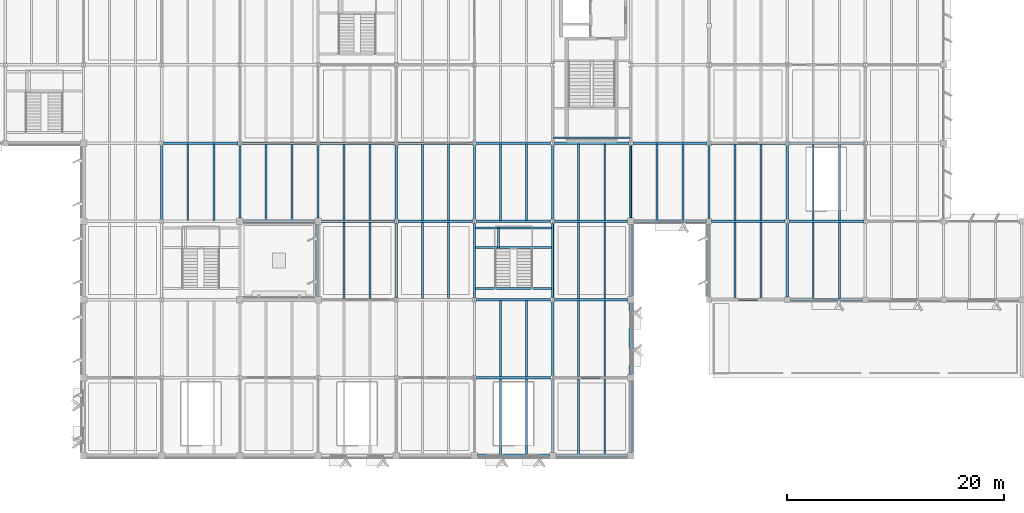
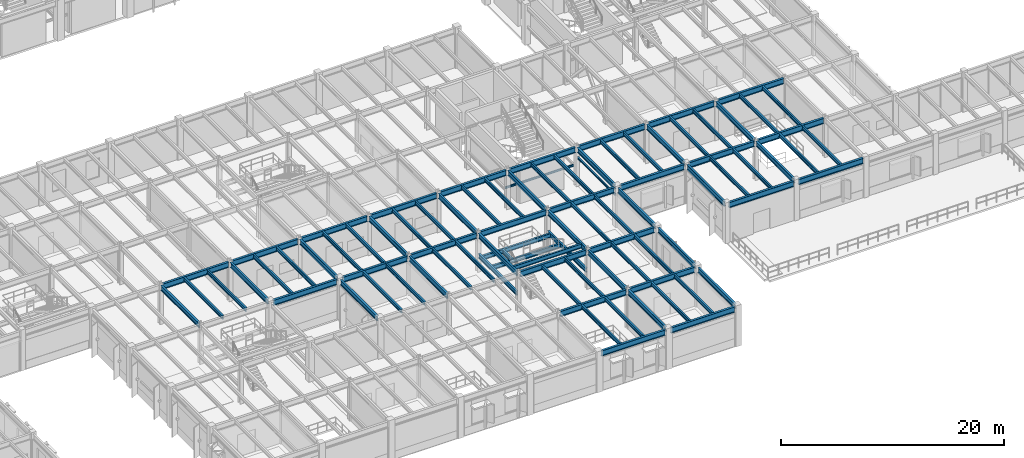
# One storey, part 18 of 92: 89 beams.
"""IFC4 building model written with IfcOpenShell, lengths in metres."""

import ifcopenshell
import ifcopenshell.guid

model = None  # the IFC model being written
_history = None  # IfcOwnerHistory: only IFC2X3 demands one
_inside = {}  # id of a spatial element -> (the spatial element, [elements in it])
_under = {}  # id of a project, library or spatial element -> (it, [spatial elements below it])
_declared = {}  # id of a project -> (the project, [libraries it declares])
_typed = {}  # id of a type object -> (the type object, [elements of that type])
_made_of = {}  # id of a material, layer set ... -> (it, [elements and type objects made of it])


def new_model(schema):
    """Start an empty IFC model of exactly this schema.

    Asked for "IFC4X3", IfcOpenShell would pick the latest addendum, in which some entities
    have other attributes; the version numbers below select the first issue.
    IFC2X3 requires an IfcOwnerHistory on every rooted entity: one is made here for all.
    """
    global model, _history
    if schema == "IFC4X3":
        model = ifcopenshell.file(schema_version=(4, 3, 0, 0))
    else:
        model = ifcopenshell.file(schema=schema)
    _inside.clear()
    _under.clear()
    _declared.clear()
    _typed.clear()
    _made_of.clear()
    _history = None
    if model.schema == "IFC2X3":
        org = make("IfcOrganization", Name="unknown")
        user = make(
            "IfcPersonAndOrganization",
            ThePerson=make("IfcPerson", FamilyName="unknown"),
            TheOrganization=org,
        )
        app = make(
            "IfcApplication",
            ApplicationDeveloper=org,
            Version="unknown",
            ApplicationFullName="unknown",
            ApplicationIdentifier="unknown",
        )
        _history = make(
            "IfcOwnerHistory",
            OwningUser=user,
            OwningApplication=app,
            ChangeAction="ADDED",
            CreationDate=0,
        )
    return model


def make(cls, **values):
    """One entity of the class cls with the attributes given. An attribute that is None is left unset."""
    return model.create_entity(
        cls, **{name: value for name, value in values.items() if value is not None}
    )


def rooted(cls, **values):
    """An entity with a GlobalId (a new one), such as an element, a storey or a relation."""
    return make(cls, GlobalId=ifcopenshell.guid.new(), OwnerHistory=_history, **values)


def si_unit(unit_type, name, prefix=None):
    """IfcSIUnit, for example si_unit("LENGTHUNIT", "METRE", prefix="MILLI")."""
    return make("IfcSIUnit", UnitType=unit_type, Prefix=prefix, Name=name)


def assignment(units):
    """IfcUnitAssignment: the units of a project."""
    return None if units is None else make("IfcUnitAssignment", Units=units)


def point(xyz):
    """IfcCartesianPoint."""
    return None if xyz is None else make("IfcCartesianPoint", Coordinates=xyz)


def direction(xyz):
    """IfcDirection."""
    return None if xyz is None else make("IfcDirection", DirectionRatios=xyz)


def frame(location, z_axis=None, x_axis=None):
    """IfcAxis2Placement3D, a coordinate frame: its origin and axes. An axis left out is left unset."""
    return make(
        "IfcAxis2Placement3D",
        Location=point(location),
        Axis=direction(z_axis),
        RefDirection=direction(x_axis),
    )


def frame_2d(location, x_axis=None):
    """IfcAxis2Placement2D, a coordinate frame in the plane: its origin and x axis."""
    return make(
        "IfcAxis2Placement2D", Location=point(location), RefDirection=direction(x_axis)
    )


def origin():
    """The frame at (0, 0, 0) with its axes left unset."""
    return frame((0.0, 0.0, 0.0))


def origin_2d():
    """The frame at (0, 0) in the plane with its x axis left unset."""
    return frame_2d((0.0, 0.0))


def place(relative_to, where):
    """IfcLocalPlacement: puts the frame where relative to a parent placement (None: the world)."""
    return make(
        "IfcLocalPlacement", PlacementRelTo=relative_to, RelativePlacement=where
    )


def context(
    kind, dimensions, precision=None, world=None, true_north=None, identifier=None
):
    """IfcGeometricRepresentationContext, for example the 3D "Model" context."""
    return make(
        "IfcGeometricRepresentationContext",
        ContextIdentifier=identifier,
        ContextType=kind,
        CoordinateSpaceDimension=dimensions,
        Precision=precision,
        WorldCoordinateSystem=world,
        TrueNorth=true_north,
    )


def subcontext(parent, identifier, kind, view, scale=None):
    """IfcGeometricRepresentationSubContext, for example "Body" below "Model"."""
    return make(
        "IfcGeometricRepresentationSubContext",
        ContextIdentifier=identifier,
        ContextType=kind,
        ParentContext=parent,
        TargetScale=scale,
        TargetView=view,
    )


def project(units=None, contexts=None):
    """IfcProject with its units and contexts."""
    return rooted(
        "IfcProject",
        Name="project",
        RepresentationContexts=contexts,
        UnitsInContext=assignment(units),
    )


def spatial(cls, under=None, at=None, **own):
    """A site, building, storey or space (cls), placed at a placement, below another one or the project."""
    s = rooted(cls, ObjectPlacement=at, **own)
    if under is not None:
        _under.setdefault(under.id(), (under, []))[1].append(s)
    return s


def profile(cls, at=None, kind="AREA", **sizes):
    """A parametric profile (cls). Its sizes go by their IFC names, for example OverallWidth=200.0."""
    return make(cls, ProfileType=kind, Position=at, **sizes)


def i_section(**sizes):
    """IfcIShapeProfileDef."""
    return profile("IfcIShapeProfileDef", **sizes)


def extrude(swept, where, along, depth):
    """IfcExtrudedAreaSolid: the profile swept, set in the frame where, extruded along a direction by depth."""
    return make(
        "IfcExtrudedAreaSolid",
        SweptArea=swept,
        Position=where,
        ExtrudedDirection=direction(along),
        Depth=depth,
    )


def shape(context_of_items, identifier, shape_type, items):
    """IfcShapeRepresentation: the items that make up one representation, for example the "Body"."""
    return make(
        "IfcShapeRepresentation",
        ContextOfItems=context_of_items,
        RepresentationIdentifier=identifier,
        RepresentationType=shape_type,
        Items=items,
    )


def material(Name=None, Category=None):
    """IfcMaterial."""
    return make("IfcMaterial", Name=Name, Category=Category)


def material_profile(
    of_material, cross_section, Name=None, Category=None, Priority=None
):
    """IfcMaterialProfile: a cross section and its material."""
    return make(
        "IfcMaterialProfile",
        Name=Name,
        Material=of_material,
        Profile=cross_section,
        Priority=Priority,
        Category=Category,
    )


def profile_set(profiles, Name=None, composite=None):
    """IfcMaterialProfileSet."""
    return make(
        "IfcMaterialProfileSet",
        Name=Name,
        MaterialProfiles=profiles,
        CompositeProfile=composite,
    )


def made_of(thing, what):
    """Note that an element or type object is made of a material, layer set ...; save() writes the relation."""
    if what is not None:
        _made_of.setdefault(what.id(), (what, []))[1].append(thing)
    return thing


def type_object(cls, material=None, **own):
    """A type object (cls), such as IfcWallType, which elements share."""
    return made_of(rooted(cls, **own), material)


def element(
    cls,
    number,
    at=None,
    inside=None,
    cuts=None,
    type_object=None,
    material=None,
    context=None,
    identifier="Body",
    shape_type=None,
    held_by="IfcProductDefinitionShape",
    body=None,
    shapes=None,
    **own,
):
    """One element of the class cls, such as IfcWall. Its Tag is "e" and its number.

    at: its placement. inside: the storey or other place that contains it. cuts: it is an
    opening in that element (IfcRelVoidsElement). A single representation is given by context,
    identifier, shape_type and body (its items); several are given by shapes. held_by: the class
    of the entity that holds the representations. save() writes the other relations.
    """
    e = rooted(cls, Tag="e%d" % number, ObjectPlacement=at, **own)
    if body is not None:
        shapes = [shape(context, identifier, shape_type, body)]
    if shapes is not None:
        e.Representation = make(held_by, Representations=shapes)
    if inside is not None:
        _inside.setdefault(inside.id(), (inside, []))[1].append(e)
    if cuts is not None:
        rooted(
            "IfcRelVoidsElement", RelatingBuildingElement=cuts, RelatedOpeningElement=e
        )
    if type_object is not None:
        _typed.setdefault(type_object.id(), (type_object, []))[1].append(e)
    return made_of(e, material)


def aggregate(whole, parts):
    """IfcRelAggregates: a whole, such as a stair, and the parts it consists of."""
    return rooted("IfcRelAggregates", RelatingObject=whole, RelatedObjects=parts)


def save(model, path):
    """Write the relations noted so far, then the file.

    IfcRelAggregates (storeys below a building ...), IfcRelContainedInSpatialStructure (elements
    in a storey), IfcRelDefinesByType, IfcRelAssociatesMaterial and IfcRelDeclares: one each for
    every whole, place, type object, material and project.
    """
    for whole, parts in _under.values():
        aggregate(whole, parts)
    for where, things in _inside.values():
        rooted(
            "IfcRelContainedInSpatialStructure",
            RelatedElements=things,
            RelatingStructure=where,
        )
    for kind, things in _typed.values():
        rooted("IfcRelDefinesByType", RelatedObjects=things, RelatingType=kind)
    for what, things in _made_of.values():
        rooted("IfcRelAssociatesMaterial", RelatedObjects=things, RelatingMaterial=what)
    for by, libraries in _declared.values():
        rooted("IfcRelDeclares", RelatingContext=by, RelatedDefinitions=libraries)
    model.write(path)


model = new_model("IFC4")

# Units and contexts
model_context = context("Model", 3, precision=1e-05, world=origin(), true_north=direction((0.0, 1.0)))
body_context = subcontext(model_context, "Body", "Model", "MODEL_VIEW")
ifc_project = project(units=[si_unit("LENGTHUNIT", "METRE"), si_unit("AREAUNIT", "SQUARE_METRE"), si_unit("VOLUMEUNIT", "CUBIC_METRE"), si_unit("PLANEANGLEUNIT", "RADIAN"), si_unit("MASSUNIT", "GRAM", prefix="KILO")], contexts=[model_context])

# Site, building, storey
site_placement = place(None, origin())
site = spatial("IfcSite", under=ifc_project, at=site_placement, CompositionType="ELEMENT")
building_placement = place(site_placement, origin())
building = spatial("IfcBuilding", under=site, at=building_placement, Name="Sillqori Civic Hall", CompositionType="ELEMENT")
storey_placement = place(building_placement, frame((0.0, 0.0, 5.39990234375)))
storey = spatial("IfcBuildingStorey", under=building, at=storey_placement, Name="L02", CompositionType="ELEMENT", Elevation=5.39990234375)

# Beams
ifc_material = material(Name="Steel ASTM A992", Category="steel")
ifc_material_profile_1 = material_profile(ifc_material, i_section(OverallWidth=0.19091796875, OverallDepth=0.4599609375, WebThickness=0.010009765625, FlangeThickness=0.01611328125, FilletRadius=0.012939453125, at=origin_2d()), Name="W18X55")
ifc_profile_set_1 = profile_set([ifc_material_profile_1], Name="Steel ASTM A992")
beam_type_1 = type_object("IfcBeamType", Name="BM-W18X55", PredefinedType="BEAM", material=ifc_profile_set_1)
for number, where, z_axis, x_axis, name in (
    (1, (100.800048828125, 21.778076171875, 1.8251953125), (0.0, 1.0, 0.0), (-1.0, 0.0, 0.0), "Wedge Atrium East Gallery Stair L02-L03 landing stringer girder W"),
    (2, (108.0, 21.778076171875, 1.8251953125), (0.0, 1.0, 0.0), (-1.0, 0.0, 0.0), "Wedge Atrium East Gallery Stair L02-L03 landing stringer girder E"),
):
    element("IfcBeam", number, at=place(storey_placement, frame(where, z_axis=z_axis, x_axis=x_axis)), inside=storey, type_object=beam_type_1, Name=name, PredefinedType="BEAM", context=body_context, shape_type="SweptSolid", body=[
        extrude(i_section(OverallWidth=0.19091796875, OverallDepth=0.4599609375, WebThickness=0.010009765625, FlangeThickness=0.01611328125, FilletRadius=0.012939453125, at=origin_2d()), origin(), (0.0, 0.0, 1.0), 6.843994140625),
    ])
for number, where, z_axis, x_axis, name in (
    (3, (100.840087890625, 26.389892578125, 1.8251953125), (1.0, 0.0, 0.0), (0.0, 1.0, 0.0), "Wedge Atrium East Gallery Stair L02-L03 half-landing cross trimmer 1"),
    (4, (100.840087890625, 28.179931640625, 1.8251953125), (1.0, 0.0, 0.0), (0.0, 1.0, 0.0), "Wedge Atrium East Gallery Stair L02-L03 half-landing cross trimmer 2"),
):
    element("IfcBeam", number, at=place(storey_placement, frame(where, z_axis=z_axis, x_axis=x_axis)), inside=storey, type_object=beam_type_1, Name=name, PredefinedType="BEAM", context=body_context, shape_type="SweptSolid", body=[
        extrude(i_section(OverallWidth=0.19091796875, OverallDepth=0.4599609375, WebThickness=0.010009765625, FlangeThickness=0.01611328125, FilletRadius=0.012939453125, at=origin_2d()), origin(), (0.0, 0.0, 1.0), 7.119873046875),
    ])
beam_1_placement = place(storey_placement, frame((103.0, 26.360107421875, 1.8251953125), z_axis=(0.0, 1.0, 0.0), x_axis=(-1.0, 0.0, 0.0)))
element("IfcBeam", 5, at=beam_1_placement, inside=storey, type_object=beam_type_1, Name="Wedge Atrium East Gallery Stair L02-L03 half-landing spine rib", PredefinedType="BEAM", context=body_context, shape_type="SweptSolid", body=[
    extrude(i_section(OverallWidth=0.19091796875, OverallDepth=0.4599609375, WebThickness=0.010009765625, FlangeThickness=0.01611328125, FilletRadius=0.012939453125, at=origin_2d()), origin(), (0.0, 0.0, 1.0), 1.849853515625),
])
beam_2_placement = place(storey_placement, frame((100.840087890625, 22.60009765625, 4.0751953125), z_axis=(1.0, 0.0, 0.0), x_axis=(0.0, 1.0, 0.0)))
element("IfcBeam", 6, at=beam_2_placement, inside=storey, type_object=beam_type_1, Name="Wedge Atrium East Gallery Stair L02-L03 upper arrival trimmer beam", PredefinedType="BEAM", context=body_context, shape_type="SweptSolid", body=[
    extrude(i_section(OverallWidth=0.19091796875, OverallDepth=0.4599609375, WebThickness=0.010009765625, FlangeThickness=0.01611328125, FilletRadius=0.012939453125, at=origin_2d()), origin(), (0.0, 0.0, 1.0), 7.119873046875),
])
ifc_material_profile_2 = material_profile(ifc_material, i_section(OverallWidth=0.2099609375, OverallDepth=0.532958984375, WebThickness=0.01025390625, FlangeThickness=0.015625, FilletRadius=0.013916015625, at=origin_2d()), Name="W21X62")
ifc_profile_set_2 = profile_set([ifc_material_profile_2], Name="Steel ASTM A992")
beam_type_2 = type_object("IfcBeamType", Name="BM-W21X62", PredefinedType="BEAM", material=ifc_profile_set_2)
beam_3_placement = place(storey_placement, frame((72.0, 28.97802734375, 4.03369140625), z_axis=(0.0, 1.0, 0.0), x_axis=(-1.0, 0.0, 0.0)))
element("IfcBeam", 7, at=beam_3_placement, inside=storey, type_object=beam_type_2, Name="L02 girder Y 10-4", PredefinedType="BEAM", context=body_context, shape_type="SweptSolid", body=[
    extrude(i_section(OverallWidth=0.2099609375, OverallDepth=0.532958984375, WebThickness=0.01025390625, FlangeThickness=0.015625, FilletRadius=0.013916015625, at=origin_2d()), origin(), (0.0, 0.0, 1.0), 6.843994140625),
])
beam_4_placement = place(storey_placement, frame((79.199951171875, 29.093994140625, 4.03369140625), z_axis=(0.0, 1.0, 0.0), x_axis=(-1.0, 0.0, 0.0)))
element("IfcBeam", 8, at=beam_4_placement, inside=storey, type_object=beam_type_2, Name="L02 girder Y 11-4", PredefinedType="BEAM", context=body_context, shape_type="SweptSolid", body=[
    extrude(i_section(OverallWidth=0.2099609375, OverallDepth=0.532958984375, WebThickness=0.01025390625, FlangeThickness=0.015625, FilletRadius=0.013916015625, at=origin_2d()), origin(), (0.0, 0.0, 1.0), 6.72802734375),
])
beam_5_placement = place(storey_placement, frame((86.39990234375, 21.89404296875, 4.03369140625), z_axis=(0.0, 1.0, 0.0), x_axis=(-1.0, 0.0, 0.0)))
element("IfcBeam", 9, at=beam_5_placement, inside=storey, type_object=beam_type_2, Name="L02 girder Y 12-3", PredefinedType="BEAM", context=body_context, shape_type="SweptSolid", body=[
    extrude(i_section(OverallWidth=0.2099609375, OverallDepth=0.532958984375, WebThickness=0.01025390625, FlangeThickness=0.015625, FilletRadius=0.013916015625, at=origin_2d()), origin(), (0.0, 0.0, 1.0), 6.612060546875),
])
beam_6_placement = place(storey_placement, frame((86.39990234375, 29.093994140625, 4.03369140625), z_axis=(0.0, 1.0, 0.0), x_axis=(-1.0, 0.0, 0.0)))
element("IfcBeam", 10, at=beam_6_placement, inside=storey, type_object=beam_type_2, Name="L02 girder Y 12-4", PredefinedType="BEAM", context=body_context, shape_type="SweptSolid", body=[
    extrude(i_section(OverallWidth=0.2099609375, OverallDepth=0.532958984375, WebThickness=0.01025390625, FlangeThickness=0.015625, FilletRadius=0.013916015625, at=origin_2d()), origin(), (0.0, 0.0, 1.0), 6.72802734375),
])
for number, where, z_axis, x_axis, name in (
    (11, (93.60009765625, 21.778076171875, 4.03369140625), (0.0, 1.0, 0.0), (-1.0, 0.0, 0.0), "L02 girder Y 13-3"),
    (12, (93.60009765625, 28.97802734375, 4.03369140625), (0.0, 1.0, 0.0), (-1.0, 0.0, 0.0), "L02 girder Y 13-4"),
    (13, (100.800048828125, 21.778076171875, 4.03369140625), (0.0, 1.0, 0.0), (-1.0, 0.0, 0.0), "L02 girder Y 14-3"),
    (14, (100.800048828125, 28.97802734375, 4.03369140625), (0.0, 1.0, 0.0), (-1.0, 0.0, 0.0), "L02 girder Y 14-4"),
):
    element("IfcBeam", number, at=place(storey_placement, frame(where, z_axis=z_axis, x_axis=x_axis)), inside=storey, type_object=beam_type_2, Name=name, PredefinedType="BEAM", context=body_context, shape_type="SweptSolid", body=[
        extrude(i_section(OverallWidth=0.2099609375, OverallDepth=0.532958984375, WebThickness=0.01025390625, FlangeThickness=0.015625, FilletRadius=0.013916015625, at=origin_2d()), origin(), (0.0, 0.0, 1.0), 6.843994140625),
    ])
beam_7_placement = place(storey_placement, frame((108.0, 7.493896484375, 4.03369140625), z_axis=(0.0, 1.0, 0.0), x_axis=(-1.0, 0.0, 0.0)))
element("IfcBeam", 15, at=beam_7_placement, inside=storey, type_object=beam_type_2, Name="L02 girder Y 15-1", PredefinedType="BEAM", context=body_context, shape_type="SweptSolid", body=[
    extrude(i_section(OverallWidth=0.2099609375, OverallDepth=0.532958984375, WebThickness=0.01025390625, FlangeThickness=0.015625, FilletRadius=0.013916015625, at=origin_2d()), origin(), (0.0, 0.0, 1.0), 6.72802734375),
])
beam_8_placement = place(storey_placement, frame((108.0, 14.577880859375, 4.03369140625), z_axis=(0.0, 1.0, 0.0), x_axis=(-1.0, 0.0, 0.0)))
element("IfcBeam", 16, at=beam_8_placement, inside=storey, type_object=beam_type_2, Name="L02 girder Y 15-2", PredefinedType="BEAM", context=body_context, shape_type="SweptSolid", body=[
    extrude(i_section(OverallWidth=0.2099609375, OverallDepth=0.532958984375, WebThickness=0.01025390625, FlangeThickness=0.015625, FilletRadius=0.013916015625, at=origin_2d()), origin(), (0.0, 0.0, 1.0), 6.84423828125),
])
for number, where, z_axis, x_axis, name in (
    (17, (108.0, 21.778076171875, 4.03369140625), (0.0, 1.0, 0.0), (-1.0, 0.0, 0.0), "L02 girder Y 15-3"),
    (18, (108.0, 28.97802734375, 4.03369140625), (0.0, 1.0, 0.0), (-1.0, 0.0, 0.0), "L02 girder Y 15-4"),
):
    element("IfcBeam", number, at=place(storey_placement, frame(where, z_axis=z_axis, x_axis=x_axis)), inside=storey, type_object=beam_type_2, Name=name, PredefinedType="BEAM", context=body_context, shape_type="SweptSolid", body=[
        extrude(i_section(OverallWidth=0.2099609375, OverallDepth=0.532958984375, WebThickness=0.01025390625, FlangeThickness=0.015625, FilletRadius=0.013916015625, at=origin_2d()), origin(), (0.0, 0.0, 1.0), 6.843994140625),
    ])
beam_9_placement = place(storey_placement, frame((115.199951171875, 7.493896484375, 4.03369140625), z_axis=(0.0, 1.0, 0.0), x_axis=(-1.0, 0.0, 0.0)))
element("IfcBeam", 19, at=beam_9_placement, inside=storey, type_object=beam_type_2, Name="L02 girder Y 16-1", PredefinedType="BEAM", context=body_context, shape_type="SweptSolid", body=[
    extrude(i_section(OverallWidth=0.2099609375, OverallDepth=0.532958984375, WebThickness=0.01025390625, FlangeThickness=0.015625, FilletRadius=0.013916015625, at=origin_2d()), origin(), (0.0, 0.0, 1.0), 6.612060546875),
])
beam_10_placement = place(storey_placement, frame((115.199951171875, 14.694091796875, 4.03369140625), z_axis=(0.0, 1.0, 0.0), x_axis=(-1.0, 0.0, 0.0)))
element("IfcBeam", 20, at=beam_10_placement, inside=storey, type_object=beam_type_2, Name="L02 girder Y 16-2", PredefinedType="BEAM", context=body_context, shape_type="SweptSolid", body=[
    extrude(i_section(OverallWidth=0.2099609375, OverallDepth=0.532958984375, WebThickness=0.01025390625, FlangeThickness=0.015625, FilletRadius=0.013916015625, at=origin_2d()), origin(), (0.0, 0.0, 1.0), 6.61181640625),
])
beam_11_placement = place(storey_placement, frame((115.199951171875, 21.89404296875, 4.03369140625), z_axis=(0.0, 1.0, 0.0), x_axis=(-1.0, 0.0, 0.0)))
element("IfcBeam", 21, at=beam_11_placement, inside=storey, type_object=beam_type_2, Name="L02 girder Y 16-3", PredefinedType="BEAM", context=body_context, shape_type="SweptSolid", body=[
    extrude(i_section(OverallWidth=0.2099609375, OverallDepth=0.532958984375, WebThickness=0.01025390625, FlangeThickness=0.015625, FilletRadius=0.013916015625, at=origin_2d()), origin(), (0.0, 0.0, 1.0), 6.612060546875),
])
beam_12_placement = place(storey_placement, frame((115.199951171875, 29.093994140625, 4.03369140625), z_axis=(0.0, 1.0, 0.0), x_axis=(-1.0, 0.0, 0.0)))
element("IfcBeam", 22, at=beam_12_placement, inside=storey, type_object=beam_type_2, Name="L02 girder Y 16-4", PredefinedType="BEAM", context=body_context, shape_type="SweptSolid", body=[
    extrude(i_section(OverallWidth=0.2099609375, OverallDepth=0.532958984375, WebThickness=0.01025390625, FlangeThickness=0.015625, FilletRadius=0.013916015625, at=origin_2d()), origin(), (0.0, 0.0, 1.0), 6.72802734375),
])
beam_13_placement = place(storey_placement, frame((122.39990234375, 21.843994140625, 4.03369140625), z_axis=(0.0, 1.0, 0.0), x_axis=(-1.0, 0.0, 0.0)))
element("IfcBeam", 23, at=beam_13_placement, inside=storey, type_object=beam_type_2, Name="L02 girder Y 17-3", PredefinedType="BEAM", context=body_context, shape_type="SweptSolid", body=[
    extrude(i_section(OverallWidth=0.2099609375, OverallDepth=0.532958984375, WebThickness=0.01025390625, FlangeThickness=0.015625, FilletRadius=0.013916015625, at=origin_2d()), origin(), (0.0, 0.0, 1.0), 6.7119140625),
])
beam_14_placement = place(storey_placement, frame((122.39990234375, 29.0439453125, 4.03369140625), z_axis=(0.0, 1.0, 0.0), x_axis=(-1.0, 0.0, 0.0)))
element("IfcBeam", 24, at=beam_14_placement, inside=storey, type_object=beam_type_2, Name="L02 girder Y 17-4", PredefinedType="BEAM", context=body_context, shape_type="SweptSolid", body=[
    extrude(i_section(OverallWidth=0.2099609375, OverallDepth=0.532958984375, WebThickness=0.01025390625, FlangeThickness=0.015625, FilletRadius=0.013916015625, at=origin_2d()), origin(), (0.0, 0.0, 1.0), 6.778076171875),
])
beam_15_placement = place(storey_placement, frame((129.60009765625, 21.843994140625, 4.03369140625), z_axis=(0.0, 1.0, 0.0), x_axis=(-1.0, 0.0, 0.0)))
element("IfcBeam", 25, at=beam_15_placement, inside=storey, type_object=beam_type_2, Name="L02 girder Y 18-3", PredefinedType="BEAM", context=body_context, shape_type="SweptSolid", body=[
    extrude(i_section(OverallWidth=0.2099609375, OverallDepth=0.532958984375, WebThickness=0.01025390625, FlangeThickness=0.015625, FilletRadius=0.013916015625, at=origin_2d()), origin(), (0.0, 0.0, 1.0), 6.781494140625),
])
beam_16_placement = place(storey_placement, frame((129.60009765625, 28.974609375, 4.03369140625), z_axis=(0.0, 1.0, 0.0), x_axis=(-1.0, 0.0, 0.0)))
element("IfcBeam", 26, at=beam_16_placement, inside=storey, type_object=beam_type_2, Name="L02 girder Y 18-4", PredefinedType="BEAM", context=body_context, shape_type="SweptSolid", body=[
    extrude(i_section(OverallWidth=0.2099609375, OverallDepth=0.532958984375, WebThickness=0.01025390625, FlangeThickness=0.015625, FilletRadius=0.013916015625, at=origin_2d()), origin(), (0.0, 0.0, 1.0), 6.847412109375),
])
ifc_material_profile_3 = material_profile(ifc_material, i_section(OverallWidth=0.22802734375, OverallDepth=0.60205078125, WebThickness=0.010498046875, FlangeThickness=0.014892578125, FilletRadius=0.014892578125, at=origin_2d()), Name="W24X68")
ifc_profile_set_3 = profile_set([ifc_material_profile_3], Name="Steel ASTM A992")
beam_type_3 = type_object("IfcBeamType", Name="BM-W24X68", PredefinedType="BEAM", material=ifc_profile_set_3)
beam_17_placement = place(storey_placement, frame((72.180419921875, 36.0, 3.9990234375), z_axis=(1.0, 0.0, 0.0), x_axis=(0.0, 1.0, 0.0)))
element("IfcBeam", 27, at=beam_17_placement, inside=storey, type_object=beam_type_3, Name="L02 girder X 10-5", PredefinedType="BEAM", context=body_context, shape_type="SweptSolid", body=[
    extrude(i_section(OverallWidth=0.22802734375, OverallDepth=0.60205078125, WebThickness=0.010498046875, FlangeThickness=0.014892578125, FilletRadius=0.014892578125, at=origin_2d()), origin(), (0.0, 0.0, 1.0), 6.839111328125),
])
beam_18_placement = place(storey_placement, frame((79.493896484375, 28.800048828125, 3.9990234375), z_axis=(1.0, 0.0, 0.0), x_axis=(0.0, 1.0, 0.0)))
element("IfcBeam", 28, at=beam_18_placement, inside=storey, type_object=beam_type_3, Name="L02 girder X 11-4", PredefinedType="BEAM", context=body_context, shape_type="SweptSolid", body=[
    extrude(i_section(OverallWidth=0.22802734375, OverallDepth=0.60205078125, WebThickness=0.010498046875, FlangeThickness=0.014892578125, FilletRadius=0.014892578125, at=origin_2d()), origin(), (0.0, 0.0, 1.0), 6.612060546875),
])
beam_19_placement = place(storey_placement, frame((79.380615234375, 36.0, 3.9990234375), z_axis=(1.0, 0.0, 0.0), x_axis=(0.0, 1.0, 0.0)))
element("IfcBeam", 29, at=beam_19_placement, inside=storey, type_object=beam_type_3, Name="L02 girder X 11-5", PredefinedType="BEAM", context=body_context, shape_type="SweptSolid", body=[
    extrude(i_section(OverallWidth=0.22802734375, OverallDepth=0.60205078125, WebThickness=0.010498046875, FlangeThickness=0.014892578125, FilletRadius=0.014892578125, at=origin_2d()), origin(), (0.0, 0.0, 1.0), 6.8388671875),
])
beam_20_placement = place(storey_placement, frame((86.694091796875, 28.800048828125, 3.9990234375), z_axis=(1.0, 0.0, 0.0), x_axis=(0.0, 1.0, 0.0)))
element("IfcBeam", 30, at=beam_20_placement, inside=storey, type_object=beam_type_3, Name="L02 girder X 12-4", PredefinedType="BEAM", context=body_context, shape_type="SweptSolid", body=[
    extrude(i_section(OverallWidth=0.22802734375, OverallDepth=0.60205078125, WebThickness=0.010498046875, FlangeThickness=0.014892578125, FilletRadius=0.014892578125, at=origin_2d()), origin(), (0.0, 0.0, 1.0), 6.725341796875),
])
for number, where, z_axis, x_axis, name in (
    (31, (86.58056640625, 36.0, 3.9990234375), (1.0, 0.0, 0.0), (0.0, 1.0, 0.0), "L02 girder X 12-5"),
    (32, (93.780517578125, 28.800048828125, 3.9990234375), (1.0, 0.0, 0.0), (0.0, 1.0, 0.0), "L02 girder X 13-4"),
    (33, (93.780517578125, 36.0, 3.9990234375), (1.0, 0.0, 0.0), (0.0, 1.0, 0.0), "L02 girder X 13-5"),
):
    element("IfcBeam", number, at=place(storey_placement, frame(where, z_axis=z_axis, x_axis=x_axis)), inside=storey, type_object=beam_type_3, Name=name, PredefinedType="BEAM", context=body_context, shape_type="SweptSolid", body=[
        extrude(i_section(OverallWidth=0.22802734375, OverallDepth=0.60205078125, WebThickness=0.010498046875, FlangeThickness=0.014892578125, FilletRadius=0.014892578125, at=origin_2d()), origin(), (0.0, 0.0, 1.0), 6.8388671875),
    ])
beam_21_placement = place(storey_placement, frame((101.093994140625, 7.199951171875, 3.9990234375), z_axis=(1.0, 0.0, 0.0), x_axis=(0.0, 1.0, 0.0)))
element("IfcBeam", 34, at=beam_21_placement, inside=storey, type_object=beam_type_3, Name="L02 girder X 14-1", PredefinedType="BEAM", context=body_context, shape_type="SweptSolid", body=[
    extrude(i_section(OverallWidth=0.22802734375, OverallDepth=0.60205078125, WebThickness=0.010498046875, FlangeThickness=0.014892578125, FilletRadius=0.014892578125, at=origin_2d()), origin(), (0.0, 0.0, 1.0), 6.612060546875),
])
for number, where, z_axis, x_axis, name in (
    (35, (100.98046875, 14.39990234375, 3.9990234375), (1.0, 0.0, 0.0), (0.0, 1.0, 0.0), "L02 girder X 14-2"),
    (36, (100.98046875, 21.60009765625, 3.9990234375), (1.0, 0.0, 0.0), (0.0, 1.0, 0.0), "L02 girder X 14-3"),
    (37, (100.98046875, 28.800048828125, 3.9990234375), (1.0, 0.0, 0.0), (0.0, 1.0, 0.0), "L02 girder X 14-4"),
    (38, (100.98046875, 36.0, 3.9990234375), (1.0, 0.0, 0.0), (0.0, 1.0, 0.0), "L02 girder X 14-5"),
):
    element("IfcBeam", number, at=place(storey_placement, frame(where, z_axis=z_axis, x_axis=x_axis)), inside=storey, type_object=beam_type_3, Name=name, PredefinedType="BEAM", context=body_context, shape_type="SweptSolid", body=[
        extrude(i_section(OverallWidth=0.22802734375, OverallDepth=0.60205078125, WebThickness=0.010498046875, FlangeThickness=0.014892578125, FilletRadius=0.014892578125, at=origin_2d()), origin(), (0.0, 0.0, 1.0), 6.839111328125),
    ])
beam_22_placement = place(storey_placement, frame((108.2939453125, 7.199951171875, 3.9990234375), z_axis=(1.0, 0.0, 0.0), x_axis=(0.0, 1.0, 0.0)))
element("IfcBeam", 39, at=beam_22_placement, inside=storey, type_object=beam_type_3, Name="L02 girder X 15-1", PredefinedType="BEAM", context=body_context, shape_type="SweptSolid", body=[
    extrude(i_section(OverallWidth=0.22802734375, OverallDepth=0.60205078125, WebThickness=0.010498046875, FlangeThickness=0.014892578125, FilletRadius=0.014892578125, at=origin_2d()), origin(), (0.0, 0.0, 1.0), 6.612060546875),
])
for number, where, z_axis, x_axis, name in (
    (40, (108.180419921875, 14.39990234375, 3.9990234375), (1.0, 0.0, 0.0), (0.0, 1.0, 0.0), "L02 girder X 15-2"),
    (41, (108.180419921875, 21.60009765625, 3.9990234375), (1.0, 0.0, 0.0), (0.0, 1.0, 0.0), "L02 girder X 15-3"),
    (42, (108.180419921875, 28.800048828125, 3.9990234375), (1.0, 0.0, 0.0), (0.0, 1.0, 0.0), "L02 girder X 15-4"),
):
    element("IfcBeam", number, at=place(storey_placement, frame(where, z_axis=z_axis, x_axis=x_axis)), inside=storey, type_object=beam_type_3, Name=name, PredefinedType="BEAM", context=body_context, shape_type="SweptSolid", body=[
        extrude(i_section(OverallWidth=0.22802734375, OverallDepth=0.60205078125, WebThickness=0.010498046875, FlangeThickness=0.014892578125, FilletRadius=0.014892578125, at=origin_2d()), origin(), (0.0, 0.0, 1.0), 6.7255859375),
    ])
beam_23_placement = place(storey_placement, frame((108.180419921875, 36.0, 3.9990234375), z_axis=(1.0, 0.0, 0.0), x_axis=(0.0, 1.0, 0.0)))
element("IfcBeam", 43, at=beam_23_placement, inside=storey, type_object=beam_type_3, Name="L02 girder X 15-5", PredefinedType="BEAM", context=body_context, shape_type="SweptSolid", body=[
    extrude(i_section(OverallWidth=0.22802734375, OverallDepth=0.60205078125, WebThickness=0.010498046875, FlangeThickness=0.014892578125, FilletRadius=0.014892578125, at=origin_2d()), origin(), (0.0, 0.0, 1.0), 6.839111328125),
])
beam_24_placement = place(storey_placement, frame((115.493896484375, 28.800048828125, 3.9990234375), z_axis=(1.0, 0.0, 0.0), x_axis=(0.0, 1.0, 0.0)))
element("IfcBeam", 44, at=beam_24_placement, inside=storey, type_object=beam_type_3, Name="L02 girder X 16-4", PredefinedType="BEAM", context=body_context, shape_type="SweptSolid", body=[
    extrude(i_section(OverallWidth=0.22802734375, OverallDepth=0.60205078125, WebThickness=0.010498046875, FlangeThickness=0.014892578125, FilletRadius=0.014892578125, at=origin_2d()), origin(), (0.0, 0.0, 1.0), 6.662109375),
])
beam_25_placement = place(storey_placement, frame((115.380615234375, 36.0, 3.9990234375), z_axis=(1.0, 0.0, 0.0), x_axis=(0.0, 1.0, 0.0)))
element("IfcBeam", 45, at=beam_25_placement, inside=storey, type_object=beam_type_3, Name="L02 girder X 16-5", PredefinedType="BEAM", context=body_context, shape_type="SweptSolid", body=[
    extrude(i_section(OverallWidth=0.22802734375, OverallDepth=0.60205078125, WebThickness=0.010498046875, FlangeThickness=0.014892578125, FilletRadius=0.014892578125, at=origin_2d()), origin(), (0.0, 0.0, 1.0), 6.8388671875),
])
ifc_material_profile_4 = material_profile(ifc_material, i_section(OverallWidth=0.22900390625, OverallDepth=0.612060546875, WebThickness=0.011962890625, FlangeThickness=0.01953125, FilletRadius=0.014892578125, at=origin_2d()), Name="W24X84")
ifc_profile_set_4 = profile_set([ifc_material_profile_4], Name="Steel ASTM A992")
beam_type_4 = type_object("IfcBeamType", Name="BM-W24X84", PredefinedType="BEAM", material=ifc_profile_set_4)
beam_26_placement = place(storey_placement, frame((122.64404296875, 21.60009765625, 3.994140625), z_axis=(1.0, 0.0, 0.0), x_axis=(0.0, 1.0, 0.0)))
element("IfcBeam", 46, at=beam_26_placement, inside=storey, type_object=beam_type_4, Name="L02 girder X 17-3", PredefinedType="BEAM", context=body_context, shape_type="SweptSolid", body=[
    extrude(i_section(OverallWidth=0.22900390625, OverallDepth=0.612060546875, WebThickness=0.011962890625, FlangeThickness=0.01953125, FilletRadius=0.014892578125, at=origin_2d()), origin(), (0.0, 0.0, 1.0), 6.7119140625),
])
beam_27_placement = place(storey_placement, frame((122.64404296875, 28.800048828125, 3.994140625), z_axis=(1.0, 0.0, 0.0), x_axis=(0.0, 1.0, 0.0)))
element("IfcBeam", 47, at=beam_27_placement, inside=storey, type_object=beam_type_4, Name="L02 girder X 17-4", PredefinedType="BEAM", context=body_context, shape_type="SweptSolid", body=[
    extrude(i_section(OverallWidth=0.22900390625, OverallDepth=0.612060546875, WebThickness=0.011962890625, FlangeThickness=0.01953125, FilletRadius=0.014892578125, at=origin_2d()), origin(), (0.0, 0.0, 1.0), 6.7763671875),
])
beam_28_placement = place(storey_placement, frame((122.58056640625, 36.0, 3.994140625), z_axis=(1.0, 0.0, 0.0), x_axis=(0.0, 1.0, 0.0)))
element("IfcBeam", 48, at=beam_28_placement, inside=storey, type_object=beam_type_4, Name="L02 girder X 17-5", PredefinedType="BEAM", context=body_context, shape_type="SweptSolid", body=[
    extrude(i_section(OverallWidth=0.22900390625, OverallDepth=0.612060546875, WebThickness=0.011962890625, FlangeThickness=0.01953125, FilletRadius=0.014892578125, at=origin_2d()), origin(), (0.0, 0.0, 1.0), 6.8388671875),
])
beam_29_placement = place(storey_placement, frame((129.843994140625, 21.60009765625, 3.994140625), z_axis=(1.0, 0.0, 0.0), x_axis=(0.0, 1.0, 0.0)))
element("IfcBeam", 49, at=beam_29_placement, inside=storey, type_object=beam_type_4, Name="L02 girder X 18-3", PredefinedType="BEAM", context=body_context, shape_type="SweptSolid", body=[
    extrude(i_section(OverallWidth=0.22900390625, OverallDepth=0.612060546875, WebThickness=0.011962890625, FlangeThickness=0.01953125, FilletRadius=0.014892578125, at=origin_2d()), origin(), (0.0, 0.0, 1.0), 6.7119140625),
])
beam_30_placement = place(storey_placement, frame((129.779541015625, 28.800048828125, 3.994140625), z_axis=(1.0, 0.0, 0.0), x_axis=(0.0, 1.0, 0.0)))
element("IfcBeam", 50, at=beam_30_placement, inside=storey, type_object=beam_type_4, Name="L02 girder X 18-4", PredefinedType="BEAM", context=body_context, shape_type="SweptSolid", body=[
    extrude(i_section(OverallWidth=0.22900390625, OverallDepth=0.612060546875, WebThickness=0.011962890625, FlangeThickness=0.01953125, FilletRadius=0.014892578125, at=origin_2d()), origin(), (0.0, 0.0, 1.0), 6.841064453125),
])
beam_31_placement = place(storey_placement, frame((129.780517578125, 36.0, 3.994140625), z_axis=(1.0, 0.0, 0.0), x_axis=(0.0, 1.0, 0.0)))
element("IfcBeam", 51, at=beam_31_placement, inside=storey, type_object=beam_type_4, Name="L02 girder X 18-5", PredefinedType="BEAM", context=body_context, shape_type="SweptSolid", body=[
    extrude(i_section(OverallWidth=0.22900390625, OverallDepth=0.612060546875, WebThickness=0.011962890625, FlangeThickness=0.01953125, FilletRadius=0.014892578125, at=origin_2d()), origin(), (0.0, 0.0, 1.0), 6.8388671875),
])
ifc_material_profile_5 = material_profile(ifc_material, i_section(OverallWidth=0.177978515625, OverallDepth=0.404052734375, WebThickness=0.007568359375, FlangeThickness=0.010986328125, FilletRadius=0.011962890625, at=origin_2d()), Name="W16X36")
ifc_profile_set_5 = profile_set([ifc_material_profile_5], Name="Steel ASTM A992")
beam_type_5 = type_object("IfcBeamType", Name="JS-W16X36", PredefinedType="JOIST", material=ifc_profile_set_5)
for number, where, z_axis, x_axis, name in (
    (52, (74.39990234375, 28.89501953125, 4.09814453125), (0.0, 1.0, 0.0), (-1.0, 0.0, 0.0), "L02 composite joist 10-4.1"),
    (53, (76.800048828125, 28.89501953125, 4.09814453125), (0.0, 1.0, 0.0), (-1.0, 0.0, 0.0), "L02 composite joist 10-4.2"),
    (54, (81.60009765625, 28.89501953125, 4.09814453125), (0.0, 1.0, 0.0), (-1.0, 0.0, 0.0), "L02 composite joist 11-4.1"),
    (55, (84.0, 28.89501953125, 4.09814453125), (0.0, 1.0, 0.0), (-1.0, 0.0, 0.0), "L02 composite joist 11-4.2"),
    (56, (88.800048828125, 21.695068359375, 4.09814453125), (0.0, 1.0, 0.0), (-1.0, 0.0, 0.0), "L02 composite joist 12-3.1"),
    (57, (91.199951171875, 21.695068359375, 4.09814453125), (0.0, 1.0, 0.0), (-1.0, 0.0, 0.0), "L02 composite joist 12-3.2"),
    (58, (88.800048828125, 28.89501953125, 4.09814453125), (0.0, 1.0, 0.0), (-1.0, 0.0, 0.0), "L02 composite joist 12-4.1"),
    (59, (91.199951171875, 28.89501953125, 4.09814453125), (0.0, 1.0, 0.0), (-1.0, 0.0, 0.0), "L02 composite joist 12-4.2"),
    (60, (96.0, 21.695068359375, 4.09814453125), (0.0, 1.0, 0.0), (-1.0, 0.0, 0.0), "L02 composite joist 13-3.1"),
    (61, (98.39990234375, 21.695068359375, 4.09814453125), (0.0, 1.0, 0.0), (-1.0, 0.0, 0.0), "L02 composite joist 13-3.2"),
    (62, (96.0, 28.89501953125, 4.09814453125), (0.0, 1.0, 0.0), (-1.0, 0.0, 0.0), "L02 composite joist 13-4.1"),
    (63, (98.39990234375, 28.89501953125, 4.09814453125), (0.0, 1.0, 0.0), (-1.0, 0.0, 0.0), "L02 composite joist 13-4.2"),
    (64, (103.199951171875, 7.294921875, 4.09814453125), (0.0, 1.0, 0.0), (-1.0, 0.0, 0.0), "L02 composite joist 14-1.1"),
    (65, (105.60009765625, 7.294921875, 4.09814453125), (0.0, 1.0, 0.0), (-1.0, 0.0, 0.0), "L02 composite joist 14-1.2"),
):
    element("IfcBeam", number, at=place(storey_placement, frame(where, z_axis=z_axis, x_axis=x_axis)), inside=storey, type_object=beam_type_5, Name=name, PredefinedType="JOIST", context=body_context, shape_type="SweptSolid", body=[
        extrude(i_section(OverallWidth=0.177978515625, OverallDepth=0.404052734375, WebThickness=0.007568359375, FlangeThickness=0.010986328125, FilletRadius=0.011962890625, at=origin_2d()), origin(), (0.0, 0.0, 1.0), 7.010009765625),
    ])
for number, where, z_axis, x_axis, name in (
    (66, (103.199951171875, 14.4951171875, 4.09814453125), (0.0, 1.0, 0.0), (-1.0, 0.0, 0.0), "L02 composite joist 14-2.1"),
    (67, (105.60009765625, 14.4951171875, 4.09814453125), (0.0, 1.0, 0.0), (-1.0, 0.0, 0.0), "L02 composite joist 14-2.2"),
):
    element("IfcBeam", number, at=place(storey_placement, frame(where, z_axis=z_axis, x_axis=x_axis)), inside=storey, type_object=beam_type_5, Name=name, PredefinedType="JOIST", context=body_context, shape_type="SweptSolid", body=[
        extrude(i_section(OverallWidth=0.177978515625, OverallDepth=0.404052734375, WebThickness=0.007568359375, FlangeThickness=0.010986328125, FilletRadius=0.011962890625, at=origin_2d()), origin(), (0.0, 0.0, 1.0), 7.009765625),
    ])
for number, where, z_axis, x_axis, name in (
    (68, (103.199951171875, 28.89501953125, 4.09814453125), (0.0, 1.0, 0.0), (-1.0, 0.0, 0.0), "L02 composite joist 14-4.1"),
    (69, (105.60009765625, 28.89501953125, 4.09814453125), (0.0, 1.0, 0.0), (-1.0, 0.0, 0.0), "L02 composite joist 14-4.2"),
    (70, (110.39990234375, 7.294921875, 4.09814453125), (0.0, 1.0, 0.0), (-1.0, 0.0, 0.0), "L02 composite joist 15-1.1"),
    (71, (112.800048828125, 7.294921875, 4.09814453125), (0.0, 1.0, 0.0), (-1.0, 0.0, 0.0), "L02 composite joist 15-1.2"),
):
    element("IfcBeam", number, at=place(storey_placement, frame(where, z_axis=z_axis, x_axis=x_axis)), inside=storey, type_object=beam_type_5, Name=name, PredefinedType="JOIST", context=body_context, shape_type="SweptSolid", body=[
        extrude(i_section(OverallWidth=0.177978515625, OverallDepth=0.404052734375, WebThickness=0.007568359375, FlangeThickness=0.010986328125, FilletRadius=0.011962890625, at=origin_2d()), origin(), (0.0, 0.0, 1.0), 7.010009765625),
    ])
for number, where, z_axis, x_axis, name in (
    (72, (110.39990234375, 14.4951171875, 4.09814453125), (0.0, 1.0, 0.0), (-1.0, 0.0, 0.0), "L02 composite joist 15-2.1"),
    (73, (112.800048828125, 14.4951171875, 4.09814453125), (0.0, 1.0, 0.0), (-1.0, 0.0, 0.0), "L02 composite joist 15-2.2"),
):
    element("IfcBeam", number, at=place(storey_placement, frame(where, z_axis=z_axis, x_axis=x_axis)), inside=storey, type_object=beam_type_5, Name=name, PredefinedType="JOIST", context=body_context, shape_type="SweptSolid", body=[
        extrude(i_section(OverallWidth=0.177978515625, OverallDepth=0.404052734375, WebThickness=0.007568359375, FlangeThickness=0.010986328125, FilletRadius=0.011962890625, at=origin_2d()), origin(), (0.0, 0.0, 1.0), 7.009765625),
    ])
for number, where, z_axis, x_axis, name in (
    (74, (110.39990234375, 21.695068359375, 4.09814453125), (0.0, 1.0, 0.0), (-1.0, 0.0, 0.0), "L02 composite joist 15-3.1"),
    (75, (112.800048828125, 21.695068359375, 4.09814453125), (0.0, 1.0, 0.0), (-1.0, 0.0, 0.0), "L02 composite joist 15-3.2"),
    (76, (110.39990234375, 28.89501953125, 4.09814453125), (0.0, 1.0, 0.0), (-1.0, 0.0, 0.0), "L02 composite joist 15-4.1"),
    (77, (112.800048828125, 28.89501953125, 4.09814453125), (0.0, 1.0, 0.0), (-1.0, 0.0, 0.0), "L02 composite joist 15-4.2"),
    (78, (117.60009765625, 28.89501953125, 4.09814453125), (0.0, 1.0, 0.0), (-1.0, 0.0, 0.0), "L02 composite joist 16-4.1"),
    (79, (120.0, 28.89501953125, 4.09814453125), (0.0, 1.0, 0.0), (-1.0, 0.0, 0.0), "L02 composite joist 16-4.2"),
    (80, (124.800048828125, 21.695068359375, 4.09814453125), (0.0, 1.0, 0.0), (-1.0, 0.0, 0.0), "L02 composite joist 17-3.1"),
    (81, (127.199951171875, 21.695068359375, 4.09814453125), (0.0, 1.0, 0.0), (-1.0, 0.0, 0.0), "L02 composite joist 17-3.2"),
    (82, (124.800048828125, 28.89501953125, 4.09814453125), (0.0, 1.0, 0.0), (-1.0, 0.0, 0.0), "L02 composite joist 17-4.1"),
    (83, (127.199951171875, 28.89501953125, 4.09814453125), (0.0, 1.0, 0.0), (-1.0, 0.0, 0.0), "L02 composite joist 17-4.2"),
    (84, (132.0, 21.695068359375, 4.09814453125), (0.0, 1.0, 0.0), (-1.0, 0.0, 0.0), "L02 composite joist 18-3.1"),
    (85, (134.39990234375, 21.695068359375, 4.09814453125), (0.0, 1.0, 0.0), (-1.0, 0.0, 0.0), "L02 composite joist 18-3.2"),
    (86, (132.0, 28.89501953125, 4.09814453125), (0.0, 1.0, 0.0), (-1.0, 0.0, 0.0), "L02 composite joist 18-4.1"),
    (87, (134.39990234375, 28.89501953125, 4.09814453125), (0.0, 1.0, 0.0), (-1.0, 0.0, 0.0), "L02 composite joist 18-4.2"),
):
    element("IfcBeam", number, at=place(storey_placement, frame(where, z_axis=z_axis, x_axis=x_axis)), inside=storey, type_object=beam_type_5, Name=name, PredefinedType="JOIST", context=body_context, shape_type="SweptSolid", body=[
        extrude(i_section(OverallWidth=0.177978515625, OverallDepth=0.404052734375, WebThickness=0.007568359375, FlangeThickness=0.010986328125, FilletRadius=0.011962890625, at=origin_2d()), origin(), (0.0, 0.0, 1.0), 7.010009765625),
    ])
ifc_material_profile_6 = material_profile(ifc_material, i_section(OverallWidth=0.133056640625, OverallDepth=0.20703125, WebThickness=0.005859375, FlangeThickness=0.00830078125, FilletRadius=0.008056640625, at=origin_2d()), Name="W8X18")
ifc_profile_set_6 = profile_set([ifc_material_profile_6], Name="Steel ASTM A992")
beam_type_6 = type_object("IfcBeamType", Name="LN-W8X18", PredefinedType="LINTEL", material=ifc_profile_set_6)
beam_32_placement = place(storey_placement, frame((115.199951171875, 29.093994140625, 3.150146484375), z_axis=(0.0, 1.0, 0.0), x_axis=(-1.0, 0.0, 0.0)))
element("IfcBeam", 88, at=beam_32_placement, inside=storey, type_object=beam_type_6, Name="Public gallery portal steel lintel", PredefinedType="LINTEL", context=body_context, shape_type="SweptSolid", body=[
    extrude(i_section(OverallWidth=0.133056640625, OverallDepth=0.20703125, WebThickness=0.005859375, FlangeThickness=0.00830078125, FilletRadius=0.008056640625, at=origin_2d()), origin(), (0.0, 0.0, 1.0), 6.72802734375),
])
beam_33_placement = place(storey_placement, frame((108.050048828125, 36.4951171875, 1.9326171875), z_axis=(1.0, 0.0, 0.0), x_axis=(0.0, 1.0, 0.0)))
element("IfcBeam", 89, at=beam_33_placement, inside=storey, type_object=beam_type_6, Name="L02 C3 stair half-landing steel ledger 1.1", PredefinedType="LINTEL", context=body_context, shape_type="SweptSolid", body=[
    extrude(i_section(OverallWidth=0.133056640625, OverallDepth=0.20703125, WebThickness=0.005859375, FlangeThickness=0.00830078125, FilletRadius=0.008056640625, at=origin_2d()), origin(), (0.0, 0.0, 1.0), 7.099853515625),
])

save(model, "model.ifc")
